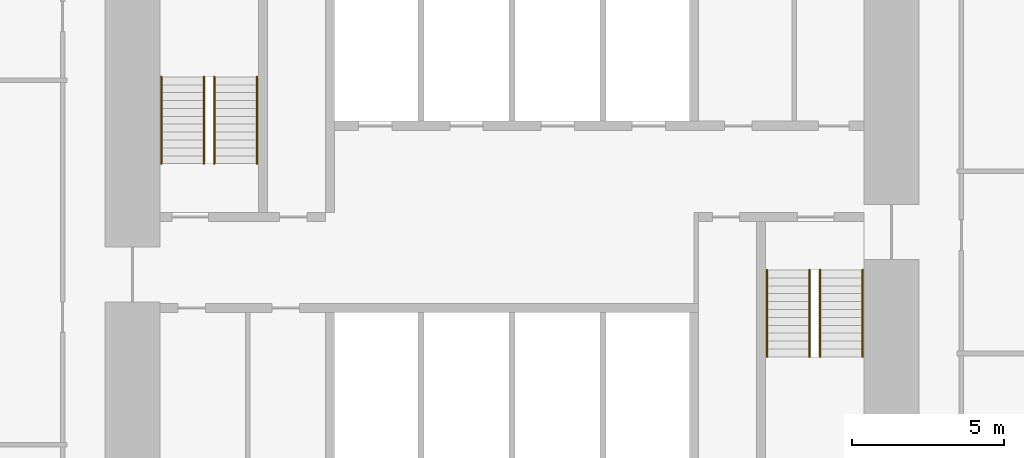
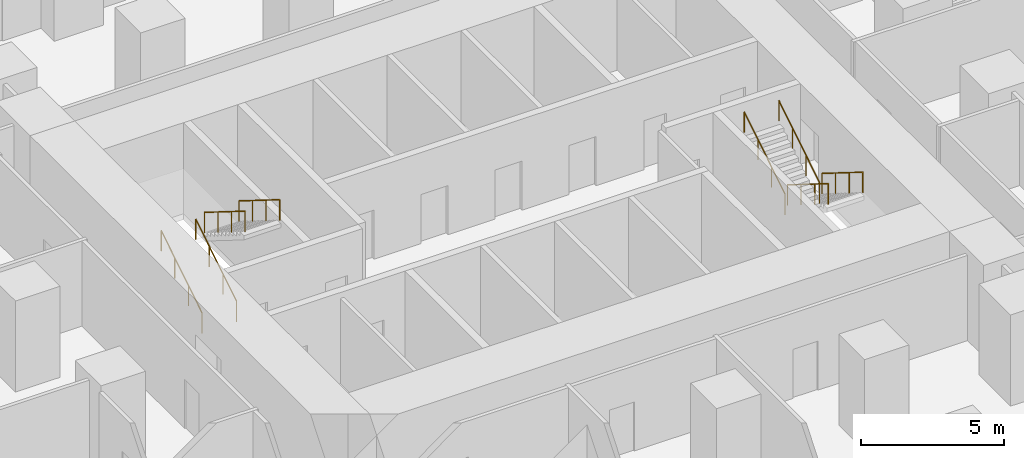
# One storey, part 12 of 12: 8 railings.
"""IFC4 building model written with IfcOpenShell, lengths in metres."""

from ifc_helpers import new_model, si_unit, direction, frame, origin, origin_2d, place, context, subcontext, project, spatial, circle, extrude, material, type_object, element, save


model = new_model("IFC4")

# Units and contexts
model_context = context("Model", 3, precision=1e-05, world=origin(), true_north=direction((0.0, 1.0)))
body_context = subcontext(model_context, "Body", "Model", "MODEL_VIEW")
ifc_project = project(units=[si_unit("LENGTHUNIT", "METRE"), si_unit("AREAUNIT", "SQUARE_METRE"), si_unit("VOLUMEUNIT", "CUBIC_METRE"), si_unit("PLANEANGLEUNIT", "RADIAN"), si_unit("MASSUNIT", "GRAM", prefix="KILO")], contexts=[model_context])

# Site, building, storey
site_placement = place(None, origin())
site = spatial("IfcSite", under=ifc_project, at=site_placement, CompositionType="ELEMENT")
building_placement = place(site_placement, origin())
building = spatial("IfcBuilding", under=site, at=building_placement, Name="Highveld Stack Headquarters", CompositionType="ELEMENT")
storey_placement = place(building_placement, frame((0.0, 0.0, 72.800048828125)))
storey = spatial("IfcBuildingStorey", under=building, at=storey_placement, Name="L17", CompositionType="ELEMENT", Elevation=72.800048828125)

# Railings
ifc_material = material(Name="Stainless steel handrail", Category="steel")
railing_type = type_object("IfcRailingType", Name="STAIR HANDRAIL HR1 900", PredefinedType="HANDRAIL", material=ifc_material)
for number, where, name in (
    (1, (-5.550048828125, 4.75, 0.162353515625), "Handrail S1 L17 flight 1"),
    (2, (-4.14990234375, 4.75, 0.162353515625), "Handrail S1 L17 flight 1"),
):
    element("IfcRailing", number, at=place(storey_placement, frame(where)), inside=storey, type_object=railing_type, Name=name, PredefinedType="HANDRAIL", context=body_context, shape_type="SweptSolid", body=[
        extrude(circle(Radius=0.02392578125, at=origin_2d()), frame((0.0, 0.0, 0.8759765625), z_axis=(0.0, 0.847994237388, 0.530005446535), x_axis=(-1.0, 0.0, 0.0)), (0.0, 0.0, 1.0), 3.372802734375),
        extrude(circle(Radius=0.02099609375, at=origin_2d()), origin(), (0.0, 0.0, 1.0), 0.851806640625),
        extrude(circle(Radius=0.02099609375, at=origin_2d()), frame((0.0, 0.953369140625, 0.595947265625)), (0.0, 0.0, 1.0), 0.851806640625),
        extrude(circle(Radius=0.02099609375, at=origin_2d()), frame((0.0, 1.90673828125, 1.191650390625)), (0.0, 0.0, 1.0), 0.851806640625),
        extrude(circle(Radius=0.02099609375, at=origin_2d()), frame((0.0, 2.860107421875, 1.78759765625)), (0.0, 0.0, 1.0), 0.851806640625),
    ])
for number, where, name in (
    (3, (-3.800048828125, 7.610107421875, 2.112548828125), "Handrail S1 L17 flight 2"),
    (4, (-2.39990234375, 7.610107421875, 2.112548828125), "Handrail S1 L17 flight 2"),
):
    element("IfcRailing", number, at=place(storey_placement, frame(where)), inside=storey, type_object=railing_type, Name=name, PredefinedType="HANDRAIL", context=body_context, shape_type="SweptSolid", body=[
        extrude(circle(Radius=0.02392578125, at=origin_2d()), frame((0.0, 0.0, 0.8759765625), z_axis=(0.0, -0.848026770018, 0.529953391661), x_axis=(1.0, 0.0, 0.0)), (0.0, 0.0, 1.0), 3.37255859375),
        extrude(circle(Radius=0.02099609375, at=origin_2d()), origin(), (0.0, 0.0, 1.0), 0.851806640625),
        extrude(circle(Radius=0.02099609375, at=origin_2d()), frame((0.0, -0.953369140625, 0.595703125)), (0.0, 0.0, 1.0), 0.851806640625),
        extrude(circle(Radius=0.02099609375, at=origin_2d()), frame((0.0, -1.90673828125, 1.191650390625)), (0.0, 0.0, 1.0), 0.851806640625),
        extrude(circle(Radius=0.02099609375, at=origin_2d()), frame((0.0, -2.860107421875, 1.787353515625)), (0.0, 0.0, 1.0), 0.851806640625),
    ])
for number, where, name in (
    (5, (16.14990234375, 1.25, 0.162353515625), "Handrail S2 L17 flight 1"),
    (6, (17.550048828125, 1.25, 0.162353515625), "Handrail S2 L17 flight 1"),
):
    element("IfcRailing", number, at=place(storey_placement, frame(where)), inside=storey, type_object=railing_type, Name=name, PredefinedType="HANDRAIL", context=body_context, shape_type="SweptSolid", body=[
        extrude(circle(Radius=0.02392578125, at=origin_2d()), frame((0.0, 0.0, 0.8759765625), z_axis=(0.0, -0.847994237388, 0.530005446535), x_axis=(1.0, 0.0, 0.0)), (0.0, 0.0, 1.0), 3.372802734375),
        extrude(circle(Radius=0.02099609375, at=origin_2d()), origin(), (0.0, 0.0, 1.0), 0.851806640625),
        extrude(circle(Radius=0.02099609375, at=origin_2d()), frame((0.0, -0.953369140625, 0.595947265625)), (0.0, 0.0, 1.0), 0.851806640625),
        extrude(circle(Radius=0.02099609375, at=origin_2d()), frame((0.0, -1.90673828125, 1.191650390625)), (0.0, 0.0, 1.0), 0.851806640625),
        extrude(circle(Radius=0.02099609375, at=origin_2d()), frame((0.0, -2.860107421875, 1.78759765625)), (0.0, 0.0, 1.0), 0.851806640625),
    ])
for number, where, name in (
    (7, (14.39990234375, -1.610107421875, 2.112548828125), "Handrail S2 L17 flight 2"),
    (8, (15.800048828125, -1.610107421875, 2.112548828125), "Handrail S2 L17 flight 2"),
):
    element("IfcRailing", number, at=place(storey_placement, frame(where)), inside=storey, type_object=railing_type, Name=name, PredefinedType="HANDRAIL", context=body_context, shape_type="SweptSolid", body=[
        extrude(circle(Radius=0.02392578125, at=origin_2d()), frame((0.0, 0.0, 0.8759765625), z_axis=(0.0, 0.848026770018, 0.529953391661), x_axis=(-1.0, 0.0, 0.0)), (0.0, 0.0, 1.0), 3.37255859375),
        extrude(circle(Radius=0.02099609375, at=origin_2d()), origin(), (0.0, 0.0, 1.0), 0.851806640625),
        extrude(circle(Radius=0.02099609375, at=origin_2d()), frame((0.0, 0.953369140625, 0.595703125)), (0.0, 0.0, 1.0), 0.851806640625),
        extrude(circle(Radius=0.02099609375, at=origin_2d()), frame((0.0, 1.90673828125, 1.191650390625)), (0.0, 0.0, 1.0), 0.851806640625),
        extrude(circle(Radius=0.02099609375, at=origin_2d()), frame((0.0, 2.860107421875, 1.787353515625)), (0.0, 0.0, 1.0), 0.851806640625),
    ])

save(model, "model.ifc")
